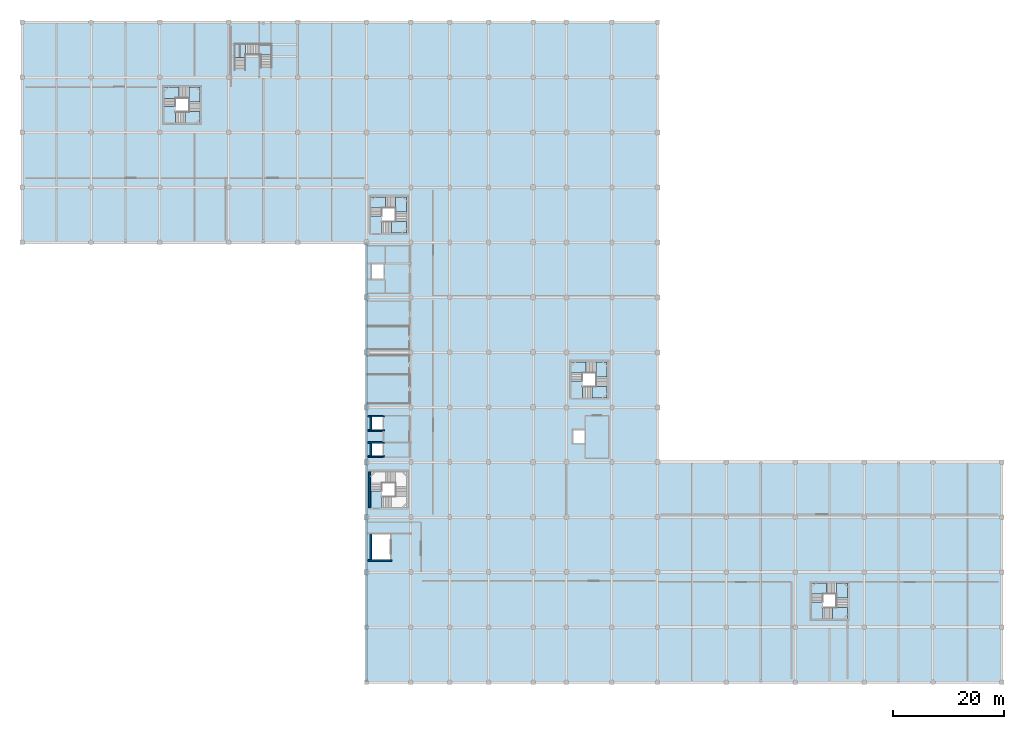
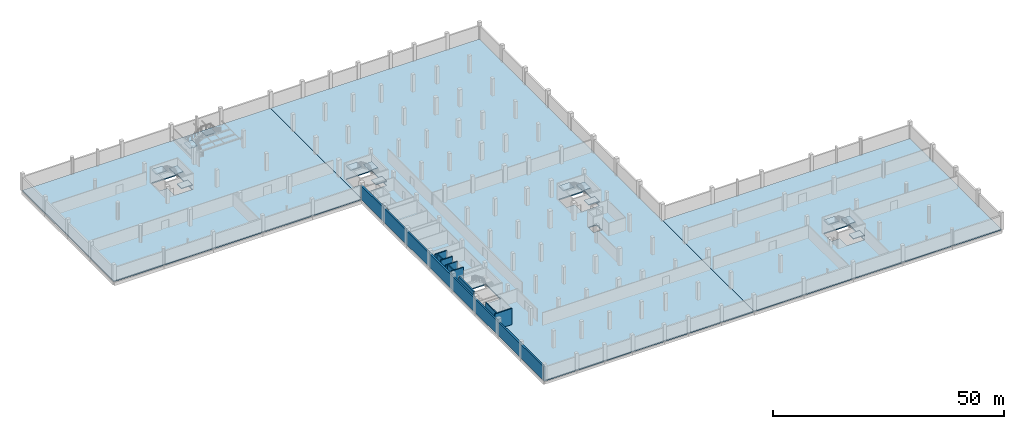
# One storey, part 8 of 32: 17 slabs, 10 walls, 5 elements without a shape of their own.
"""IFC4 building model written with IfcOpenShell, lengths in metres."""

from ifc_helpers import new_model, si_unit, direction, frame, frame_2d, origin, place, context, subcontext, project, spatial, polyline, rectangle, outline, extrude, material, layer, layer_set, type_object, element, aggregate, save


model = new_model("IFC4")

# Units and contexts
model_context = context("Model", 3, precision=1e-05, world=origin(), true_north=direction((0.0, 1.0)))
body_context = subcontext(model_context, "Body", "Model", "MODEL_VIEW")
ifc_project = project(units=[si_unit("LENGTHUNIT", "METRE"), si_unit("AREAUNIT", "SQUARE_METRE"), si_unit("VOLUMEUNIT", "CUBIC_METRE"), si_unit("PLANEANGLEUNIT", "RADIAN"), si_unit("MASSUNIT", "GRAM", prefix="KILO")], contexts=[model_context])

# Site, building, storey
site_placement = place(None, origin())
site = spatial("IfcSite", under=ifc_project, at=site_placement, CompositionType="ELEMENT")
building_placement = place(site_placement, origin())
building = spatial("IfcBuilding", under=site, at=building_placement, Name="Sillaruma Civic Art Gallery", CompositionType="ELEMENT")
storey_placement = place(building_placement, frame((0.0, 0.0, -4.590087890625)))
storey = spatial("IfcBuildingStorey", under=building, at=storey_placement, Name="B01", CompositionType="ELEMENT", Elevation=-4.590087890625)

# Slabs
ifc_material_1 = material(Name="Concrete H35 (35 MPa)", Category="concrete")
ifc_layer_1 = layer(ifc_material_1, 0.280029296875, Name="Concrete H35 (35 MPa)")
ifc_layer_set_1 = layer_set([ifc_layer_1], Name="Concrete H35 (35 MPa)")
slab_type_1 = type_object("IfcSlabType", Name="SLB-FLR-280", PredefinedType="FLOOR", material=ifc_layer_set_1)
slab_1_placement = place(storey_placement, frame((0.0, 0.0, -0.280029296875)))
element("IfcSlab", 1, at=slab_1_placement, inside=storey, type_object=slab_type_1, Name="Floor Slab SF-280 (SLB-B01-WEST)", PredefinedType="FLOOR", context=body_context, shape_type="SweptSolid", body=[
    extrude(outline(polyline([(0.0, 79.199951171875), (62.0, 79.199951171875), (62.0, 118.800048828125), (0.0, 118.800048828125), (0.0, 79.199951171875)]), holes=[polyline([(27.614990234375, 100.699951171875), (32.0400390625, 100.699951171875), (32.0400390625, 107.179931640625), (25.56005859375, 107.179931640625), (25.56005859375, 103.705078125), (27.614990234375, 103.705078125), (27.614990234375, 100.699951171875)])]), origin(), (0.0, 0.0, 1.0), 0.280029296875),
])
slab_2_placement = place(storey_placement, frame((0.0, 0.0, -0.280029296875)))
element("IfcSlab", 2, at=slab_2_placement, inside=storey, type_object=slab_type_1, Name="Floor Slab SF-280 (SLB-B01-CENT)", PredefinedType="FLOOR", context=body_context, shape_type="SweptSolid", body=[
    extrude(outline(polyline([(62.0, 0.0), (114.39990234375, 0.0), (114.39990234375, 118.800048828125), (62.0, 118.800048828125), (62.0, 0.0)]), holes=[polyline([(64.81494140625, 80.909912109375), (69.239990234375, 80.909912109375), (69.239990234375, 87.389892578125), (62.760009765625, 87.389892578125), (62.760009765625, 83.9150390625), (64.81494140625, 83.9150390625), (64.81494140625, 80.909912109375)]), polyline([(64.81494140625, 31.409912109375), (69.239990234375, 31.409912109375), (69.239990234375, 37.889892578125), (62.760009765625, 37.889892578125), (62.760009765625, 34.4150390625), (64.81494140625, 34.4150390625), (64.81494140625, 31.409912109375)]), polyline([(100.9150390625, 51.2099609375), (105.340087890625, 51.2099609375), (105.340087890625, 57.68994140625), (98.860107421875, 57.68994140625), (98.860107421875, 54.215087890625), (100.9150390625, 54.215087890625), (100.9150390625, 51.2099609375)]), polyline([(62.89990234375, 40.75), (64.89990234375, 40.75), (64.89990234375, 43.050048828125), (62.89990234375, 43.050048828125), (62.89990234375, 40.75)]), polyline([(62.89990234375, 45.449951171875), (64.89990234375, 45.449951171875), (64.89990234375, 47.75), (62.89990234375, 47.75), (62.89990234375, 45.449951171875)]), polyline([(99.25, 43.050048828125), (101.25, 43.050048828125), (101.25, 45.35009765625), (99.25, 45.35009765625), (99.25, 43.050048828125)]), polyline([(62.89990234375, 72.64990234375), (65.10009765625, 72.64990234375), (65.10009765625, 75.25), (62.89990234375, 75.25), (62.89990234375, 72.64990234375)]), polyline([(62.89990234375, 22.050048828125), (66.300048828125, 22.050048828125), (66.300048828125, 26.64990234375), (62.89990234375, 26.64990234375), (62.89990234375, 22.050048828125)])]), origin(), (0.0, 0.0, 1.0), 0.280029296875),
])
slab_3_placement = place(storey_placement, frame((0.0, 0.0, -0.280029296875)))
element("IfcSlab", 3, at=slab_3_placement, inside=storey, type_object=slab_type_1, Name="Floor Slab SF-280 (SLB-B01-EAST)", PredefinedType="FLOOR", context=body_context, shape_type="SweptSolid", body=[
    extrude(outline(polyline([(114.39990234375, 0.0), (176.39990234375, 0.0), (176.39990234375, 39.60009765625), (114.39990234375, 39.60009765625), (114.39990234375, 0.0)]), holes=[polyline([(144.215087890625, 11.39990234375), (148.639892578125, 11.39990234375), (148.639892578125, 17.8798828125), (142.159912109375, 17.8798828125), (142.159912109375, 14.405029296875), (144.215087890625, 14.405029296875), (144.215087890625, 11.39990234375)])]), origin(), (0.0, 0.0, 1.0), 0.280029296875),
])

# Stair, slabs
stair_type_1 = type_object("IfcStairType", Name="STR-3F-27", PredefinedType="TWO_QUARTER_TURN_STAIR", material=ifc_material_1)
stair_1_placement = place(storey_placement, origin())
stair_1 = element("IfcStair", 4, at=stair_1_placement, inside=storey, type_object=stair_type_1, Name="Monumental Gallery Feature Stair ST-G01 (B01)", PredefinedType="TWO_QUARTER_TURN_STAIR")
ifc_layer_2 = layer(ifc_material_1, 0.18505859375, Name="Concrete H35 (35 MPa)")
ifc_layer_set_2 = layer_set([ifc_layer_2], Name="Concrete H35 (35 MPa)")
slab_type_2 = type_object("IfcSlabType", Name="SLB-LND-185", PredefinedType="LANDING", material=ifc_layer_set_2)
slab_4_placement = place(storey_placement, frame((0.0, 0.0, 1.344970703125)))
slab_4 = element("IfcSlab", 5, at=slab_4_placement, type_object=slab_type_2, Name="ST-G01 landing 1", PredefinedType="LANDING", context=body_context, shape_type="SweptSolid", body=[
    extrude(outline(polyline([(38.199951171875, 112.52001953125), (40.239990234375, 112.52001953125), (40.239990234375, 115.0), (38.199951171875, 115.0), (38.199951171875, 112.52001953125)])), origin(), (0.0, 0.0, 1.0), 0.18505859375),
])
slab_5_placement = place(storey_placement, frame((0.0, 0.0, 2.875)))
slab_5 = element("IfcSlab", 6, at=slab_5_placement, type_object=slab_type_2, Name="ST-G01 landing 2", PredefinedType="LANDING", context=body_context, shape_type="SweptSolid", body=[
    extrude(outline(polyline([(42.56005859375, 112.9599609375), (44.9599609375, 112.9599609375), (44.9599609375, 115.0), (42.56005859375, 115.0), (42.56005859375, 112.9599609375)])), origin(), (0.0, 0.0, 1.0), 0.18505859375),
])
aggregate(stair_1, [slab_4, slab_5])

stair_type_2 = type_object("IfcStairType", Name="STR-4F-27", PredefinedType="USERDEFINED", material=ifc_material_1)
stair_2_placement = place(storey_placement, origin())
stair_2 = element("IfcStair", 7, at=stair_2_placement, inside=storey, type_object=stair_type_2, Name="Protected Exit Stair ST-01 (West Wing) (B01)", ObjectType="THREE_RETURN_STAIR", PredefinedType="USERDEFINED")
ifc_layer_3 = layer(ifc_material_1, 0.199951171875, Name="Concrete H35 (35 MPa)")
ifc_layer_set_3 = layer_set([ifc_layer_3], Name="Concrete H35 (35 MPa)")
slab_type_3 = type_object("IfcSlabType", Name="SLB-LND-200", PredefinedType="LANDING", material=ifc_layer_set_3)
slab_6_placement = place(storey_placement, frame((0.0, 0.0, 0.989990234375)))
slab_6 = element("IfcSlab", 8, at=slab_6_placement, type_object=slab_type_3, Name="ST-01 landing 1", PredefinedType="LANDING", context=body_context, shape_type="SweptSolid", body=[
    extrude(outline(polyline([(29.340087890625, 100.699951171875), (32.0400390625, 100.699951171875), (32.0400390625, 102.739990234375), (29.340087890625, 102.739990234375), (29.340087890625, 100.699951171875)])), origin(), (0.0, 0.0, 1.0), 0.2001953125),
])
slab_7_placement = place(storey_placement, frame((0.0, 0.0, 2.18017578125)))
slab_7 = element("IfcSlab", 9, at=slab_7_placement, type_object=slab_type_3, Name="ST-01 landing 2", PredefinedType="LANDING", context=body_context, shape_type="SweptSolid", body=[
    extrude(outline(polyline([(30.0, 104.47998046875), (32.0400390625, 104.47998046875), (32.0400390625, 107.179931640625), (30.0, 107.179931640625), (30.0, 104.47998046875)])), origin(), (0.0, 0.0, 1.0), 0.199951171875),
])
slab_8_placement = place(storey_placement, frame((0.0, 0.0, 3.3701171875)))
slab_8 = element("IfcSlab", 10, at=slab_8_placement, type_object=slab_type_3, Name="ST-01 landing 3", PredefinedType="LANDING", context=body_context, shape_type="SweptSolid", body=[
    extrude(outline(polyline([(25.56005859375, 105.139892578125), (28.260009765625, 105.139892578125), (28.260009765625, 107.179931640625), (25.56005859375, 107.179931640625), (25.56005859375, 105.139892578125)])), origin(), (0.0, 0.0, 1.0), 0.199951171875),
])
aggregate(stair_2, [slab_6, slab_7, slab_8])

stair_3_placement = place(storey_placement, origin())
stair_3 = element("IfcStair", 11, at=stair_3_placement, inside=storey, type_object=stair_type_2, Name="Protected Exit Stair ST-02 (West Bar North) (B01)", ObjectType="THREE_RETURN_STAIR", PredefinedType="USERDEFINED")
slab_9_placement = place(storey_placement, frame((0.0, 0.0, 0.989990234375)))
slab_9 = element("IfcSlab", 12, at=slab_9_placement, type_object=slab_type_3, Name="ST-02 landing 1", PredefinedType="LANDING", context=body_context, shape_type="SweptSolid", body=[
    extrude(outline(polyline([(66.5400390625, 80.909912109375), (69.239990234375, 80.909912109375), (69.239990234375, 82.949951171875), (66.5400390625, 82.949951171875), (66.5400390625, 80.909912109375)])), origin(), (0.0, 0.0, 1.0), 0.2001953125),
])
slab_10_placement = place(storey_placement, frame((0.0, 0.0, 2.18017578125)))
slab_10 = element("IfcSlab", 13, at=slab_10_placement, type_object=slab_type_3, Name="ST-02 landing 2", PredefinedType="LANDING", context=body_context, shape_type="SweptSolid", body=[
    extrude(outline(polyline([(67.199951171875, 84.68994140625), (69.239990234375, 84.68994140625), (69.239990234375, 87.389892578125), (67.199951171875, 87.389892578125), (67.199951171875, 84.68994140625)])), origin(), (0.0, 0.0, 1.0), 0.199951171875),
])
slab_11_placement = place(storey_placement, frame((0.0, 0.0, 3.3701171875)))
slab_11 = element("IfcSlab", 14, at=slab_11_placement, type_object=slab_type_3, Name="ST-02 landing 3", PredefinedType="LANDING", context=body_context, shape_type="SweptSolid", body=[
    extrude(outline(polyline([(62.760009765625, 85.35009765625), (65.4599609375, 85.35009765625), (65.4599609375, 87.389892578125), (62.760009765625, 87.389892578125), (62.760009765625, 85.35009765625)])), origin(), (0.0, 0.0, 1.0), 0.199951171875),
])
aggregate(stair_3, [slab_9, slab_10, slab_11])

stair_4_placement = place(storey_placement, origin())
stair_4 = element("IfcStair", 15, at=stair_4_placement, inside=storey, type_object=stair_type_2, Name="Protected Exit Stair ST-04 (East Bar) (B01)", ObjectType="THREE_RETURN_STAIR", PredefinedType="USERDEFINED")
slab_12_placement = place(storey_placement, frame((0.0, 0.0, 0.989990234375)))
slab_12 = element("IfcSlab", 16, at=slab_12_placement, type_object=slab_type_3, Name="ST-04 landing 1", PredefinedType="LANDING", context=body_context, shape_type="SweptSolid", body=[
    extrude(outline(polyline([(102.639892578125, 51.2099609375), (105.340087890625, 51.2099609375), (105.340087890625, 53.25), (102.639892578125, 53.25), (102.639892578125, 51.2099609375)])), origin(), (0.0, 0.0, 1.0), 0.2001953125),
])
slab_13_placement = place(storey_placement, frame((0.0, 0.0, 2.18017578125)))
slab_13 = element("IfcSlab", 17, at=slab_13_placement, type_object=slab_type_3, Name="ST-04 landing 2", PredefinedType="LANDING", context=body_context, shape_type="SweptSolid", body=[
    extrude(outline(polyline([(103.300048828125, 54.989990234375), (105.340087890625, 54.989990234375), (105.340087890625, 57.68994140625), (103.300048828125, 57.68994140625), (103.300048828125, 54.989990234375)])), origin(), (0.0, 0.0, 1.0), 0.199951171875),
])
slab_14_placement = place(storey_placement, frame((0.0, 0.0, 3.3701171875)))
slab_14 = element("IfcSlab", 18, at=slab_14_placement, type_object=slab_type_3, Name="ST-04 landing 3", PredefinedType="LANDING", context=body_context, shape_type="SweptSolid", body=[
    extrude(outline(polyline([(98.860107421875, 55.64990234375), (101.56005859375, 55.64990234375), (101.56005859375, 57.68994140625), (98.860107421875, 57.68994140625), (98.860107421875, 55.64990234375)])), origin(), (0.0, 0.0, 1.0), 0.199951171875),
])
aggregate(stair_4, [slab_12, slab_13, slab_14])

stair_5_placement = place(storey_placement, origin())
stair_5 = element("IfcStair", 19, at=stair_5_placement, inside=storey, type_object=stair_type_2, Name="Protected Exit Stair ST-05 (East Wing) (B01)", ObjectType="THREE_RETURN_STAIR", PredefinedType="USERDEFINED")
slab_15_placement = place(storey_placement, frame((0.0, 0.0, 0.989990234375)))
slab_15 = element("IfcSlab", 20, at=slab_15_placement, type_object=slab_type_3, Name="ST-05 landing 1", PredefinedType="LANDING", context=body_context, shape_type="SweptSolid", body=[
    extrude(outline(polyline([(145.93994140625, 11.39990234375), (148.639892578125, 11.39990234375), (148.639892578125, 13.43994140625), (145.93994140625, 13.43994140625), (145.93994140625, 11.39990234375)])), origin(), (0.0, 0.0, 1.0), 0.2001953125),
])
slab_16_placement = place(storey_placement, frame((0.0, 0.0, 2.18017578125)))
slab_16 = element("IfcSlab", 21, at=slab_16_placement, type_object=slab_type_3, Name="ST-05 landing 2", PredefinedType="LANDING", context=body_context, shape_type="SweptSolid", body=[
    extrude(outline(polyline([(146.60009765625, 15.179931640625), (148.639892578125, 15.179931640625), (148.639892578125, 17.8798828125), (146.60009765625, 17.8798828125), (146.60009765625, 15.179931640625)])), origin(), (0.0, 0.0, 1.0), 0.199951171875),
])
slab_17_placement = place(storey_placement, frame((0.0, 0.0, 3.3701171875)))
slab_17 = element("IfcSlab", 22, at=slab_17_placement, type_object=slab_type_3, Name="ST-05 landing 3", PredefinedType="LANDING", context=body_context, shape_type="SweptSolid", body=[
    extrude(outline(polyline([(142.159912109375, 15.840087890625), (144.860107421875, 15.840087890625), (144.860107421875, 17.8798828125), (142.159912109375, 17.8798828125), (142.159912109375, 15.840087890625)])), origin(), (0.0, 0.0, 1.0), 0.199951171875),
])
aggregate(stair_5, [slab_15, slab_16, slab_17])

# Walls
ifc_material_2 = material(Name="Concrete H40 (40 MPa)", Category="concrete")
ifc_layer_4 = layer(ifc_material_2, 0.35009765625, Name="Concrete H40 (40 MPa)")
ifc_layer_set_4 = layer_set([ifc_layer_4], Name="Concrete H40 (40 MPa)")
wall_type_1 = type_object("IfcWallType", Name="WAL-CORE-350", PredefinedType="SHEAR", material=ifc_layer_set_4)
wall_1_placement = place(storey_placement, frame((62.5849609375, 31.409912109375, 0.0), z_axis=(0.0, 0.0, 1.0), x_axis=(0.0, 1.0, 0.0)))
element("IfcWall", 23, at=wall_1_placement, inside=storey, type_object=wall_type_1, Name="Stair Core Shear Wall W-CORE-350 (ST-03:B01:W)", PredefinedType="SHEAR", context=body_context, shape_type="SweptSolid", body=[
    extrude(rectangle(XDim=6.47998046875, YDim=0.35009765625, at=frame_2d((3.239990234375, 0.0))), origin(), (0.0, 0.0, 1.0), 4.2900390625),
])
ifc_layer_5 = layer(ifc_material_2, 0.39990234375, Name="Concrete H40 (40 MPa)")
ifc_layer_set_5 = layer_set([ifc_layer_5], Name="Concrete H40 (40 MPa)")
wall_type_2 = type_object("IfcWallType", Name="WAL-RET-400", PredefinedType="USERDEFINED", material=ifc_layer_set_5)
wall_2_placement = place(storey_placement, frame((62.0, 79.199951171875, 0.0), z_axis=(0.0, 0.0, 1.0), x_axis=(0.0, -1.0, 0.0)))
element("IfcWall", 24, at=wall_2_placement, inside=storey, type_object=wall_type_2, Name="Exterior Wall W-RET-400 (RET-B01-08)", ObjectType="RETAININGWALL", PredefinedType="USERDEFINED", context=body_context, shape_type="SweptSolid", body=[
    extrude(rectangle(XDim=79.199951171875, YDim=0.39990234375, at=frame_2d((39.60009765625, 0.0))), origin(), (0.0, 0.0, 1.0), 3.64013671875),
])
ifc_layer_6 = layer(ifc_material_2, 0.25, Name="Concrete H40 (40 MPa)")
ifc_layer_set_6 = layer_set([ifc_layer_6], Name="Concrete H40 (40 MPa)")
wall_type_3 = type_object("IfcWallType", Name="WAL-SHAFT-250", PredefinedType="SOLIDWALL", material=ifc_layer_set_6)
for number, where, z_axis, x_axis, name in (
    (25, (62.199951171875, 40.625, 0.0), (0.0, 0.0, 1.0), (1.0, 0.0, 0.0), "Lift Shaft Wall W-SHAFT-250 (PL-01:B01:S)"),
    (26, (62.199951171875, 43.175048828125, 0.0), (0.0, 0.0, 1.0), (1.0, 0.0, 0.0), "Lift Shaft Wall W-SHAFT-250 (PL-01:B01:N)"),
):
    element("IfcWall", number, at=place(storey_placement, frame(where, z_axis=z_axis, x_axis=x_axis)), inside=storey, type_object=wall_type_3, Name=name, PredefinedType="SOLIDWALL", context=body_context, shape_type="SweptSolid", body=[
        extrude(rectangle(XDim=2.949951171875, YDim=0.25, at=frame_2d((1.47509765625, 0.0))), origin(), (0.0, 0.0, 1.0), 4.27001953125),
    ])
wall_3_placement = place(storey_placement, frame((62.77490234375, 40.75, 0.0), z_axis=(0.0, 0.0, 1.0), x_axis=(0.0, 1.0, 0.0)))
element("IfcWall", 27, at=wall_3_placement, inside=storey, type_object=wall_type_3, Name="Lift Shaft Wall W-SHAFT-250 (PL-01:B01:W)", PredefinedType="SOLIDWALL", context=body_context, shape_type="SweptSolid", body=[
    extrude(rectangle(XDim=2.300048828125, YDim=0.25, at=frame_2d((1.14990234375, 0.0))), origin(), (0.0, 0.0, 1.0), 4.27001953125),
])
for number, where, z_axis, x_axis, name in (
    (28, (62.199951171875, 45.324951171875, 0.0), (0.0, 0.0, 1.0), (1.0, 0.0, 0.0), "Lift Shaft Wall W-SHAFT-250 (PL-02:B01:S)"),
    (29, (62.199951171875, 47.875, 0.0), (0.0, 0.0, 1.0), (1.0, 0.0, 0.0), "Lift Shaft Wall W-SHAFT-250 (PL-02:B01:N)"),
):
    element("IfcWall", number, at=place(storey_placement, frame(where, z_axis=z_axis, x_axis=x_axis)), inside=storey, type_object=wall_type_3, Name=name, PredefinedType="SOLIDWALL", context=body_context, shape_type="SweptSolid", body=[
        extrude(rectangle(XDim=2.949951171875, YDim=0.25, at=frame_2d((1.47509765625, 0.0))), origin(), (0.0, 0.0, 1.0), 4.27001953125),
    ])
wall_4_placement = place(storey_placement, frame((62.77490234375, 45.449951171875, 0.0), z_axis=(0.0, 0.0, 1.0), x_axis=(0.0, 1.0, 0.0)))
element("IfcWall", 30, at=wall_4_placement, inside=storey, type_object=wall_type_3, Name="Lift Shaft Wall W-SHAFT-250 (PL-02:B01:W)", PredefinedType="SOLIDWALL", context=body_context, shape_type="SweptSolid", body=[
    extrude(rectangle(XDim=2.300048828125, YDim=0.25, at=frame_2d((1.14990234375, 0.0))), origin(), (0.0, 0.0, 1.0), 4.27001953125),
])
wall_5_placement = place(storey_placement, frame((62.199951171875, 21.925048828125, 0.0), z_axis=(0.0, 0.0, 1.0), x_axis=(1.0, 0.0, 0.0)))
element("IfcWall", 31, at=wall_5_placement, inside=storey, type_object=wall_type_3, Name="Lift Shaft Wall W-SHAFT-250 (GL-01:B01:S)", PredefinedType="SOLIDWALL", context=body_context, shape_type="SweptSolid", body=[
    extrude(rectangle(XDim=4.35009765625, YDim=0.25, at=frame_2d((2.175048828125, 0.0))), origin(), (0.0, 0.0, 1.0), 4.27001953125),
])
wall_6_placement = place(storey_placement, frame((62.77490234375, 22.050048828125, 0.0), z_axis=(0.0, 0.0, 1.0), x_axis=(0.0, 1.0, 0.0)))
element("IfcWall", 32, at=wall_6_placement, inside=storey, type_object=wall_type_3, Name="Lift Shaft Wall W-SHAFT-250 (GL-01:B01:W)", PredefinedType="SOLIDWALL", context=body_context, shape_type="SweptSolid", body=[
    extrude(rectangle(XDim=4.599853515625, YDim=0.25, at=frame_2d((2.2998046875, 0.0))), origin(), (0.0, 0.0, 1.0), 4.27001953125),
])

save(model, "model.ifc")
